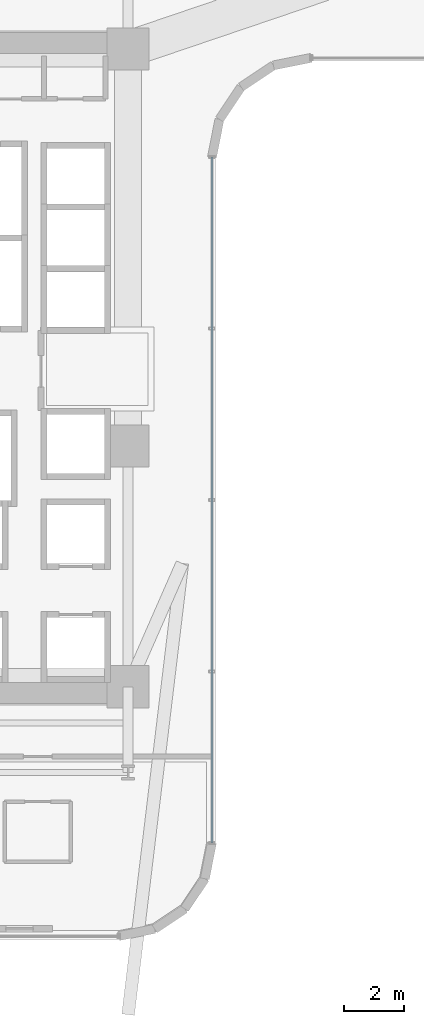
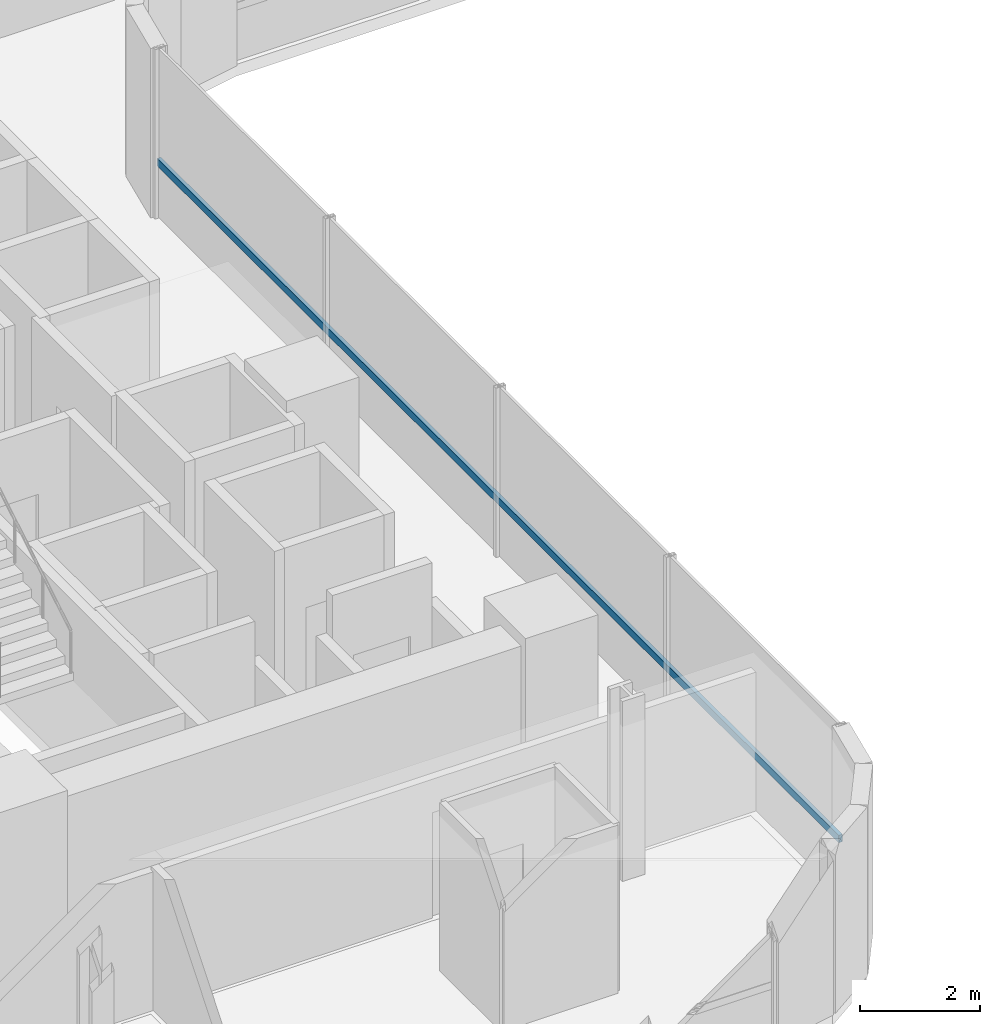
# One storey, part 8 of 50: 1 member, 1 element without a shape of its own.
"""IFC4 building model written with IfcOpenShell, lengths in metres."""

from ifc_helpers import new_model, si_unit, direction, frame, origin, origin_2d, place, context, subcontext, project, spatial, hollow_rectangle, extrude, source, transform, mapped, material, material_profile, profile_set, type_object, element, aggregate, save


model = new_model("IFC4")

# Units and contexts
model_context = context("Model", 3, precision=1e-05, world=origin(), true_north=direction((0.0, 1.0)))
body_context = subcontext(model_context, "Body", "Model", "MODEL_VIEW")
ifc_project = project(units=[si_unit("LENGTHUNIT", "METRE"), si_unit("AREAUNIT", "SQUARE_METRE"), si_unit("VOLUMEUNIT", "CUBIC_METRE"), si_unit("PLANEANGLEUNIT", "RADIAN"), si_unit("MASSUNIT", "GRAM", prefix="KILO")], contexts=[model_context])

# Site, building, storey
site_placement = place(None, origin())
site = spatial("IfcSite", under=ifc_project, at=site_placement, CompositionType="ELEMENT")
building_placement = place(site_placement, origin())
building = spatial("IfcBuilding", under=site, at=building_placement, Name="Valdorenza Pilgrim Sanctuary Tower", CompositionType="ELEMENT")
storey_placement = place(building_placement, frame((0.0, 0.0, 26.0)))
storey = spatial("IfcBuildingStorey", under=building, at=storey_placement, Name="L05", CompositionType="ELEMENT", Elevation=26.0)

# Curtain wall, member
ifc_material_1 = material(Name="Curtain-wall IGU glazing", Category="glass")
curtain_wall_type = type_object("IfcCurtainWallType", Name="CW-SYS-02", PredefinedType="NOTDEFINED", material=ifc_material_1)
curtain_wall_placement = place(storey_placement, origin())
curtain_wall = element("IfcCurtainWall", 1, at=curtain_wall_placement, inside=storey, type_object=curtain_wall_type, Name="L05 Curtain Wall CW-L05-1-41", PredefinedType="NOTDEFINED")
ifc_material_2 = material(Name="Anodised aluminium AW-6060", Category="aluminium")
ifc_material_profile = material_profile(ifc_material_2, hollow_rectangle(XDim=0.074951171875, YDim=0.14990234375, WallThickness=0.00390625, at=origin_2d()), Name="ALU-T 150x75x4")
ifc_profile_set = profile_set([ifc_material_profile], Name="Anodised aluminium AW-6060")
member_type = type_object("IfcMemberType", Name="CW-TRN-02", PredefinedType="USERDEFINED", material=ifc_profile_set)
shared_shape = source(origin(), body_context, "Body", "SweptSolid", [
    extrude(hollow_rectangle(XDim=0.074951171875, YDim=0.14990234375, WallThickness=0.00390625, at=origin_2d()), origin(), (0.0, 0.0, 1.0), 22.800048828125),
])
member_placement = place(storey_placement, frame((-9.610107421875, 7.0107421875, 1.1201171875), z_axis=(0.0, -1.0, 0.0), x_axis=(1.0, 0.0, 0.0)))
member = element("IfcMember", 2, at=member_placement, type_object=member_type, Name="CW-L05-1-41 Transom 1", ObjectType="TRANSOM", PredefinedType="USERDEFINED", context=body_context, shape_type="MappedRepresentation", body=[
    mapped(shared_shape, transform((0.0, 0.0, 0.0), x_axis=(1.0, 0.0, 0.0), y_axis=(0.0, 1.0, 0.0), z_axis=(0.0, 0.0, 1.0), scale=1.0)),
])
aggregate(curtain_wall, [member])

save(model, "model.ifc")
